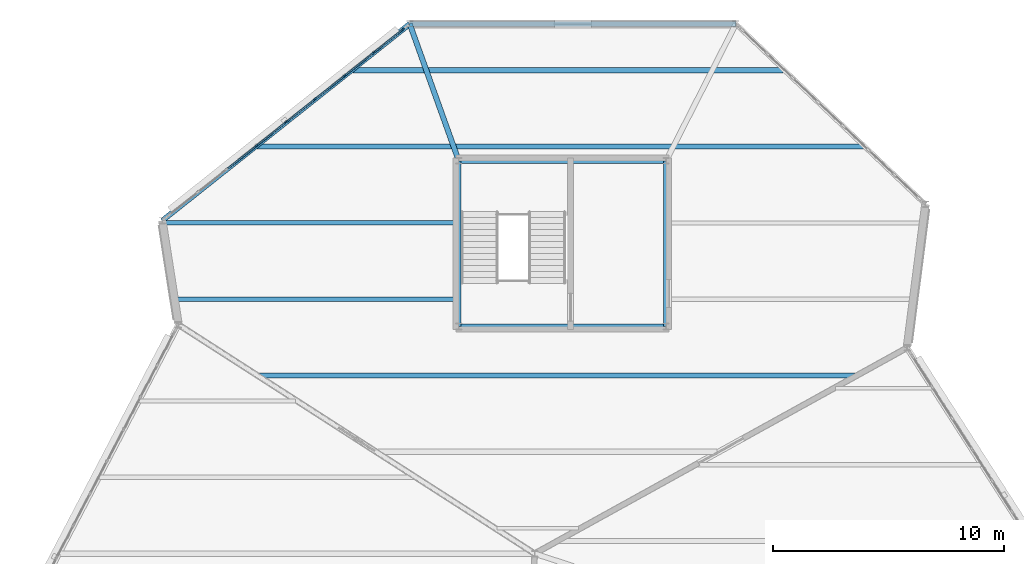
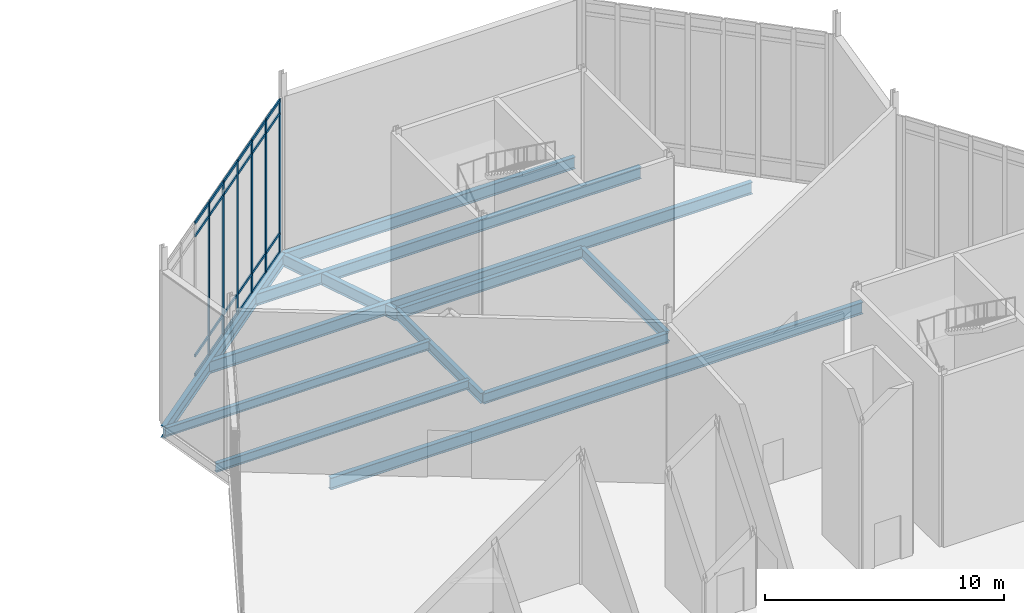
# One storey, part 37 of 66: 30 members, 12 beams, 1 element without a shape of its own.
"""IFC4 building model written with IfcOpenShell, lengths in metres."""

from ifc_helpers import new_model, si_unit, direction, frame, origin, origin_2d, place, context, subcontext, project, spatial, rectangle, i_section, extrude, material, material_profile, profile_set, type_object, element, aggregate, save


model = new_model("IFC4")

# Units and contexts
model_context = context("Model", 3, precision=1e-05, world=origin(), true_north=direction((0.0, 1.0)))
body_context = subcontext(model_context, "Body", "Model", "MODEL_VIEW")
ifc_project = project(units=[si_unit("LENGTHUNIT", "METRE"), si_unit("AREAUNIT", "SQUARE_METRE"), si_unit("VOLUMEUNIT", "CUBIC_METRE"), si_unit("PLANEANGLEUNIT", "RADIAN"), si_unit("MASSUNIT", "GRAM", prefix="KILO")], contexts=[model_context])

# Site, building, storey
site_placement = place(None, origin())
site = spatial("IfcSite", under=ifc_project, at=site_placement, CompositionType="ELEMENT")
building_placement = place(site_placement, origin())
building = spatial("IfcBuilding", under=site, at=building_placement, Name="Tameran Prism Museum", CompositionType="ELEMENT")
storey_placement = place(building_placement, frame((0.0, 0.0, 19.800048828125)))
storey = spatial("IfcBuildingStorey", under=building, at=storey_placement, Name="L04", CompositionType="ELEMENT", Elevation=19.800048828125)

# Beams
ifc_material_1 = material(Name="Steel Grade 300PLUS (300 MPa)", Category="steel")
ifc_material_profile_1 = material_profile(ifc_material_1, i_section(OverallWidth=0.18994140625, OverallDepth=0.4541015625, WebThickness=0.008544921875, FlangeThickness=0.0126953125, FilletRadius=0.011474609375, at=origin_2d()))
ifc_profile_set_1 = profile_set([ifc_material_profile_1])
beam_type_1 = type_object("IfcBeamType", Name="BM-J460B", PredefinedType="JOIST", material=ifc_profile_set_1)
beam_1_placement = place(storey_placement, frame((103.26904296875, 100.10009765625, -0.467041015625), z_axis=(1.0, 0.0, 0.0), x_axis=(0.0, 1.0, 0.0)))
element("IfcBeam", 1, at=beam_1_placement, inside=storey, type_object=beam_type_1, Name="Floor Beam BM-1223", PredefinedType="JOIST", context=body_context, shape_type="SweptSolid", body=[
    extrude(i_section(OverallWidth=0.18994140625, OverallDepth=0.4541015625, WebThickness=0.008544921875, FlangeThickness=0.0126953125, FilletRadius=0.011474609375, at=origin_2d()), origin(), (0.0, 0.0, 1.0), 12.2509765625),
])
beam_2_placement = place(storey_placement, frame((102.756103515625, 103.39990234375, -0.467041015625), z_axis=(1.0, 0.0, 0.0), x_axis=(0.0, 1.0, 0.0)))
element("IfcBeam", 2, at=beam_2_placement, inside=storey, type_object=beam_type_1, Name="Floor Beam BM-1225", PredefinedType="JOIST", context=body_context, shape_type="SweptSolid", body=[
    extrude(i_section(OverallWidth=0.18994140625, OverallDepth=0.4541015625, WebThickness=0.008544921875, FlangeThickness=0.0126953125, FilletRadius=0.011474609375, at=origin_2d()), origin(), (0.0, 0.0, 1.0), 12.763916015625),
])
ifc_material_2 = material(Name="Steel Grade 300PLUS (300 MPa)", Category="steel")
ifc_material_profile_2 = material_profile(ifc_material_2, i_section(OverallWidth=0.208984375, OverallDepth=0.528076171875, WebThickness=0.009521484375, FlangeThickness=0.01318359375, FilletRadius=0.013916015625, at=origin_2d()))
ifc_profile_set_2 = profile_set([ifc_material_profile_2])
beam_type_2 = type_object("IfcBeamType", Name="BM-SP530B", PredefinedType="SPANDREL", material=ifc_profile_set_2)
beam_3_placement = place(storey_placement, frame((115.52001953125, 98.919921875, -0.504150390625), z_axis=(1.0, 0.0, 0.0), x_axis=(0.0, 1.0, 0.0)))
element("IfcBeam", 3, at=beam_3_placement, inside=storey, type_object=beam_type_2, Name="Core Ring Beam CTB-1185", PredefinedType="SPANDREL", context=body_context, shape_type="SweptSolid", body=[
    extrude(i_section(OverallWidth=0.208984375, OverallDepth=0.528076171875, WebThickness=0.009521484375, FlangeThickness=0.01318359375, FilletRadius=0.013916015625, at=origin_2d()), origin(), (0.0, 0.0, 1.0), 8.9599609375),
])
beam_4_placement = place(storey_placement, frame((124.47998046875, 98.919921875, -0.504150390625), z_axis=(0.0, 1.0, 0.0), x_axis=(-1.0, 0.0, 0.0)))
element("IfcBeam", 4, at=beam_4_placement, inside=storey, type_object=beam_type_2, Name="Core Ring Beam CTB-1186", PredefinedType="SPANDREL", context=body_context, shape_type="SweptSolid", body=[
    extrude(i_section(OverallWidth=0.208984375, OverallDepth=0.528076171875, WebThickness=0.009521484375, FlangeThickness=0.01318359375, FilletRadius=0.013916015625, at=origin_2d()), origin(), (0.0, 0.0, 1.0), 7.16015625),
])
beam_5_placement = place(storey_placement, frame((124.47998046875, 106.080078125, -0.504150390625), z_axis=(-1.0, 0.0, 0.0), x_axis=(0.0, -1.0, 0.0)))
element("IfcBeam", 5, at=beam_5_placement, inside=storey, type_object=beam_type_2, Name="Core Ring Beam CTB-1187", PredefinedType="SPANDREL", context=body_context, shape_type="SweptSolid", body=[
    extrude(i_section(OverallWidth=0.208984375, OverallDepth=0.528076171875, WebThickness=0.009521484375, FlangeThickness=0.01318359375, FilletRadius=0.013916015625, at=origin_2d()), origin(), (0.0, 0.0, 1.0), 8.9599609375),
])
beam_6_placement = place(storey_placement, frame((115.52001953125, 106.080078125, -0.504150390625), z_axis=(0.0, -1.0, 0.0), x_axis=(1.0, 0.0, 0.0)))
element("IfcBeam", 6, at=beam_6_placement, inside=storey, type_object=beam_type_2, Name="Core Ring Beam CTB-1188", PredefinedType="SPANDREL", context=body_context, shape_type="SweptSolid", body=[
    extrude(i_section(OverallWidth=0.208984375, OverallDepth=0.528076171875, WebThickness=0.009521484375, FlangeThickness=0.01318359375, FilletRadius=0.013916015625, at=origin_2d()), origin(), (0.0, 0.0, 1.0), 7.16015625),
])
ifc_material_3 = material(Name="Steel Grade 300PLUS (300 MPa)", Category="steel")
ifc_material_profile_3 = material_profile(ifc_material_3, i_section(OverallWidth=0.22802734375, OverallDepth=0.60205078125, WebThickness=0.010498046875, FlangeThickness=0.014892578125, FilletRadius=0.013916015625, at=origin_2d()))
ifc_profile_set_3 = profile_set([ifc_material_profile_3])
beam_type_3 = type_object("IfcBeamType", Name="BM-SP610", PredefinedType="SPANDREL", material=ifc_profile_set_3)
beam_7_placement = place(storey_placement, frame((127.5, 112.0, -0.541015625), z_axis=(-1.0, 0.0, 0.0), x_axis=(0.0, -1.0, 0.0)))
element("IfcBeam", 7, at=beam_7_placement, inside=storey, type_object=beam_type_3, Name="Perimeter Spandrel SP-1152", PredefinedType="SPANDREL", context=body_context, shape_type="SweptSolid", body=[
    extrude(i_section(OverallWidth=0.22802734375, OverallDepth=0.60205078125, WebThickness=0.010498046875, FlangeThickness=0.014892578125, FilletRadius=0.013916015625, at=origin_2d()), origin(), (0.0, 0.0, 1.0), 14.10009765625),
])
beam_8_placement = place(storey_placement, frame((113.39990234375, 112.0, -0.541015625), z_axis=(-0.783004636427, -0.62201586743, 0.0), x_axis=(0.62201586743, -0.783004636427, 0.0)))
element("IfcBeam", 8, at=beam_8_placement, inside=storey, type_object=beam_type_3, Name="Perimeter Spandrel SP-1153", PredefinedType="SPANDREL", context=body_context, shape_type="SweptSolid", body=[
    extrude(i_section(OverallWidth=0.22802734375, OverallDepth=0.60205078125, WebThickness=0.010498046875, FlangeThickness=0.014892578125, FilletRadius=0.013916015625, at=origin_2d()), origin(), (0.0, 0.0, 1.0), 13.665283203125),
])
ifc_material_4 = material(Name="Steel Grade 300PLUS (300 MPa)", Category="steel")
ifc_material_profile_4 = material_profile(ifc_material_4, i_section(OverallWidth=0.22900390625, OverallDepth=0.612060546875, WebThickness=0.011962890625, FlangeThickness=0.01953125, FilletRadius=0.013916015625, at=origin_2d()))
ifc_profile_set_4 = profile_set([ifc_material_profile_4])
beam_type_4 = type_object("IfcBeamType", Name="BM-UB610A", PredefinedType="BEAM", material=ifc_profile_set_4)
beam_9_placement = place(storey_placement, frame((115.52001953125, 106.080078125, -0.56005859375), z_axis=(-0.337162675886, 0.941446403142, 0.0), x_axis=(-0.941446403142, -0.337162675886, 0.0)))
element("IfcBeam", 9, at=beam_9_placement, inside=storey, type_object=beam_type_4, Name="Frame Tie Girder FG-1408", PredefinedType="BEAM", context=body_context, shape_type="SweptSolid", body=[
    extrude(i_section(OverallWidth=0.22900390625, OverallDepth=0.612060546875, WebThickness=0.011962890625, FlangeThickness=0.01953125, FilletRadius=0.013916015625, at=origin_2d()), origin(), (0.0, 0.0, 1.0), 6.2880859375),
])
ifc_material_5 = material(Name="Steel Grade 300PLUS (300 MPa)", Category="steel")
ifc_material_profile_5 = material_profile(ifc_material_5, i_section(OverallWidth=0.22802734375, OverallDepth=0.60693359375, WebThickness=0.01123046875, FlangeThickness=0.017333984375, FilletRadius=0.013916015625, at=origin_2d()))
ifc_profile_set_5 = profile_set([ifc_material_profile_5])
beam_type_5 = type_object("IfcBeamType", Name="BM-UB610B", PredefinedType="BEAM", material=ifc_profile_set_5)
beam_10_placement = place(storey_placement, frame((106.89599609375, 96.800048828125, -0.54345703125), z_axis=(1.0, 0.0, 0.0), x_axis=(0.0, 1.0, 0.0)))
element("IfcBeam", 10, at=beam_10_placement, inside=storey, type_object=beam_type_5, Name="Floor Beam BM-1222", PredefinedType="BEAM", context=body_context, shape_type="SweptSolid", body=[
    extrude(i_section(OverallWidth=0.22802734375, OverallDepth=0.60693359375, WebThickness=0.01123046875, FlangeThickness=0.017333984375, FilletRadius=0.013916015625, at=origin_2d()), origin(), (0.0, 0.0, 1.0), 25.7509765625),
])
beam_11_placement = place(storey_placement, frame((106.79296875, 106.699951171875, -0.54345703125), z_axis=(1.0, 0.0, 0.0), x_axis=(0.0, 1.0, 0.0)))
element("IfcBeam", 11, at=beam_11_placement, inside=storey, type_object=beam_type_5, Name="Floor Beam BM-1227", PredefinedType="BEAM", context=body_context, shape_type="SweptSolid", body=[
    extrude(i_section(OverallWidth=0.22802734375, OverallDepth=0.60693359375, WebThickness=0.01123046875, FlangeThickness=0.017333984375, FilletRadius=0.013916015625, at=origin_2d()), origin(), (0.0, 0.0, 1.0), 26.220947265625),
])
beam_12_placement = place(storey_placement, frame((110.947021484375, 110.0, -0.54345703125), z_axis=(1.0, 0.0, 0.0), x_axis=(0.0, 1.0, 0.0)))
element("IfcBeam", 12, at=beam_12_placement, inside=storey, type_object=beam_type_5, Name="Floor Beam BM-1228", PredefinedType="BEAM", context=body_context, shape_type="SweptSolid", body=[
    extrude(i_section(OverallWidth=0.22802734375, OverallDepth=0.60693359375, WebThickness=0.01123046875, FlangeThickness=0.017333984375, FilletRadius=0.013916015625, at=origin_2d()), origin(), (0.0, 0.0, 1.0), 18.597900390625),
])

# Curtain wall, members
ifc_material_6 = material(Name="Anodised Aluminium 6063-T6 and Cyclone Solar Glass", Category="aluminium")
curtain_wall_type = type_object("IfcCurtainWallType", Name="CW-FAC-1296x782", PredefinedType="USERDEFINED", material=ifc_material_6)
curtain_wall_placement = place(storey_placement, origin())
curtain_wall = element("IfcCurtainWall", 13, at=curtain_wall_placement, inside=storey, type_object=curtain_wall_type, Name="Unitised Curtain Wall CW-155", ObjectType="UNITISED CURTAIN WALL", PredefinedType="USERDEFINED")
ifc_material_7 = material(Name="Anodised Aluminium Alloy 6063-T6", Category="aluminium")
ifc_material_profile_6 = material_profile(ifc_material_7, rectangle(XDim=0.06494140625, YDim=0.159912109375, at=origin_2d()))
ifc_profile_set_6 = profile_set([ifc_material_profile_6])
member_type_1 = type_object("IfcMemberType", Name="CW-MUL-A", PredefinedType="MULLION", material=ifc_profile_set_6)
member_1_placement = place(storey_placement, frame((106.781005859375, 106.741943359375, 0.0), z_axis=(0.0, 0.0, 1.0), x_axis=(-0.621982306183, 0.783031296178, 0.0)))
member_1 = element("IfcMember", 14, at=member_1_placement, type_object=member_type_1, Name="CW-155 mullion 4", PredefinedType="MULLION", context=body_context, shape_type="SweptSolid", body=[
    extrude(rectangle(XDim=0.06494140625, YDim=0.159912109375, at=origin_2d()), origin(), (0.0, 0.0, 1.0), 7.820068359375),
])
member_2_placement = place(storey_placement, frame((108.050048828125, 107.75, 0.0), z_axis=(0.0, 0.0, 1.0), x_axis=(-0.621982306183, 0.783031296178, 0.0)))
member_2 = element("IfcMember", 15, at=member_2_placement, type_object=member_type_1, Name="CW-155 mullion 5", PredefinedType="MULLION", context=body_context, shape_type="SweptSolid", body=[
    extrude(rectangle(XDim=0.06494140625, YDim=0.159912109375, at=origin_2d()), origin(), (0.0, 0.0, 1.0), 7.820068359375),
])
member_3_placement = place(storey_placement, frame((109.319091796875, 108.758056640625, 0.0), z_axis=(0.0, 0.0, 1.0), x_axis=(-0.621982306183, 0.783031296178, 0.0)))
member_3 = element("IfcMember", 16, at=member_3_placement, type_object=member_type_1, Name="CW-155 mullion 6", PredefinedType="MULLION", context=body_context, shape_type="SweptSolid", body=[
    extrude(rectangle(XDim=0.06494140625, YDim=0.159912109375, at=origin_2d()), origin(), (0.0, 0.0, 1.0), 7.820068359375),
])
member_4_placement = place(storey_placement, frame((110.587890625, 109.76611328125, 0.0), z_axis=(0.0, 0.0, 1.0), x_axis=(-0.621982306183, 0.783031296178, 0.0)))
member_4 = element("IfcMember", 17, at=member_4_placement, type_object=member_type_1, Name="CW-155 mullion 7", PredefinedType="MULLION", context=body_context, shape_type="SweptSolid", body=[
    extrude(rectangle(XDim=0.06494140625, YDim=0.159912109375, at=origin_2d()), origin(), (0.0, 0.0, 1.0), 7.820068359375),
])
member_5_placement = place(storey_placement, frame((111.85693359375, 110.77392578125, 0.0), z_axis=(0.0, 0.0, 1.0), x_axis=(-0.621982306183, 0.783031296178, 0.0)))
member_5 = element("IfcMember", 18, at=member_5_placement, type_object=member_type_1, Name="CW-155 mullion 8", PredefinedType="MULLION", context=body_context, shape_type="SweptSolid", body=[
    extrude(rectangle(XDim=0.06494140625, YDim=0.159912109375, at=origin_2d()), origin(), (0.0, 0.0, 1.0), 7.820068359375),
])
member_6_placement = place(storey_placement, frame((113.1005859375, 111.76171875, 0.0), z_axis=(0.0, 0.0, 1.0), x_axis=(-0.621982306183, 0.783031296178, 0.0)))
member_6 = element("IfcMember", 19, at=member_6_placement, type_object=member_type_1, Name="CW-155 mullion 9", PredefinedType="MULLION", context=body_context, shape_type="SweptSolid", body=[
    extrude(rectangle(XDim=0.06494140625, YDim=0.159912109375, at=origin_2d()), origin(), (0.0, 0.0, 1.0), 7.820068359375),
])
ifc_material_8 = material(Name="Anodised Aluminium Alloy 6063-T6", Category="aluminium")
ifc_material_profile_7 = material_profile(ifc_material_8, rectangle(XDim=0.06494140625, YDim=0.139892578125, at=origin_2d()))
ifc_profile_set_7 = profile_set([ifc_material_profile_7])
member_type_2 = type_object("IfcMemberType", Name="CW-TRN-A", PredefinedType="USERDEFINED", material=ifc_profile_set_7)
member_7_placement = place(storey_placement, frame((105.537353515625, 105.754150390625, 0.032470703125), z_axis=(0.783083873008, 0.621916109966, 0.0), x_axis=(-0.621916109966, 0.783083873008, 0.0)))
member_7 = element("IfcMember", 20, at=member_7_placement, type_object=member_type_2, Name="CW-155 transom 3.1", ObjectType="TRANSOM", PredefinedType="USERDEFINED", context=body_context, shape_type="SweptSolid", body=[
    extrude(rectangle(XDim=0.06494140625, YDim=0.139892578125, at=origin_2d()), origin(), (0.0, 0.0, 1.0), 1.5556640625),
])
member_8_placement = place(storey_placement, frame((105.537353515625, 105.754150390625, 1.0), z_axis=(0.783083873008, 0.621916109966, 0.0), x_axis=(-0.621916109966, 0.783083873008, 0.0)))
member_8 = element("IfcMember", 21, at=member_8_placement, type_object=member_type_2, Name="CW-155 transom 3.2", ObjectType="TRANSOM", PredefinedType="USERDEFINED", context=body_context, shape_type="SweptSolid", body=[
    extrude(rectangle(XDim=0.06494140625, YDim=0.139892578125, at=origin_2d()), origin(), (0.0, 0.0, 1.0), 1.5556640625),
])
member_9_placement = place(storey_placement, frame((105.537353515625, 105.754150390625, 7.139892578125), z_axis=(0.783083873008, 0.621916109966, 0.0), x_axis=(-0.621916109966, 0.783083873008, 0.0)))
member_9 = element("IfcMember", 22, at=member_9_placement, type_object=member_type_2, Name="CW-155 transom 3.3", ObjectType="TRANSOM", PredefinedType="USERDEFINED", context=body_context, shape_type="SweptSolid", body=[
    extrude(rectangle(XDim=0.06494140625, YDim=0.139892578125, at=origin_2d()), origin(), (0.0, 0.0, 1.0), 1.5556640625),
])
member_10_placement = place(storey_placement, frame((105.537353515625, 105.754150390625, 7.787353515625), z_axis=(0.783083873008, 0.621916109966, 0.0), x_axis=(-0.621916109966, 0.783083873008, 0.0)))
member_10 = element("IfcMember", 23, at=member_10_placement, type_object=member_type_2, Name="CW-155 transom 3.4", ObjectType="TRANSOM", PredefinedType="USERDEFINED", context=body_context, shape_type="SweptSolid", body=[
    extrude(rectangle(XDim=0.06494140625, YDim=0.139892578125, at=origin_2d()), origin(), (0.0, 0.0, 1.0), 1.5556640625),
])
member_11_placement = place(storey_placement, frame((106.806396484375, 106.76220703125, 0.032470703125), z_axis=(0.783083873008, 0.621916109966, 0.0), x_axis=(-0.621916109966, 0.783083873008, 0.0)))
member_11 = element("IfcMember", 24, at=member_11_placement, type_object=member_type_2, Name="CW-155 transom 4.1", ObjectType="TRANSOM", PredefinedType="USERDEFINED", context=body_context, shape_type="SweptSolid", body=[
    extrude(rectangle(XDim=0.06494140625, YDim=0.139892578125, at=origin_2d()), origin(), (0.0, 0.0, 1.0), 1.5556640625),
])
member_12_placement = place(storey_placement, frame((106.806396484375, 106.76220703125, 1.0), z_axis=(0.783083873008, 0.621916109966, 0.0), x_axis=(-0.621916109966, 0.783083873008, 0.0)))
member_12 = element("IfcMember", 25, at=member_12_placement, type_object=member_type_2, Name="CW-155 transom 4.2", ObjectType="TRANSOM", PredefinedType="USERDEFINED", context=body_context, shape_type="SweptSolid", body=[
    extrude(rectangle(XDim=0.06494140625, YDim=0.139892578125, at=origin_2d()), origin(), (0.0, 0.0, 1.0), 1.5556640625),
])
member_13_placement = place(storey_placement, frame((106.806396484375, 106.76220703125, 7.139892578125), z_axis=(0.783083873008, 0.621916109966, 0.0), x_axis=(-0.621916109966, 0.783083873008, 0.0)))
member_13 = element("IfcMember", 26, at=member_13_placement, type_object=member_type_2, Name="CW-155 transom 4.3", ObjectType="TRANSOM", PredefinedType="USERDEFINED", context=body_context, shape_type="SweptSolid", body=[
    extrude(rectangle(XDim=0.06494140625, YDim=0.139892578125, at=origin_2d()), origin(), (0.0, 0.0, 1.0), 1.5556640625),
])
member_14_placement = place(storey_placement, frame((106.806396484375, 106.76220703125, 7.787353515625), z_axis=(0.783083873008, 0.621916109966, 0.0), x_axis=(-0.621916109966, 0.783083873008, 0.0)))
member_14 = element("IfcMember", 27, at=member_14_placement, type_object=member_type_2, Name="CW-155 transom 4.4", ObjectType="TRANSOM", PredefinedType="USERDEFINED", context=body_context, shape_type="SweptSolid", body=[
    extrude(rectangle(XDim=0.06494140625, YDim=0.139892578125, at=origin_2d()), origin(), (0.0, 0.0, 1.0), 1.5556640625),
])
member_15_placement = place(storey_placement, frame((108.075439453125, 107.770263671875, 0.032470703125), z_axis=(0.783023164241, 0.621992543574, 0.0), x_axis=(-0.621992543574, 0.783023164241, 0.0)))
member_15 = element("IfcMember", 28, at=member_15_placement, type_object=member_type_2, Name="CW-155 transom 5.1", ObjectType="TRANSOM", PredefinedType="USERDEFINED", context=body_context, shape_type="SweptSolid", body=[
    extrude(rectangle(XDim=0.06494140625, YDim=0.139892578125, at=origin_2d()), origin(), (0.0, 0.0, 1.0), 1.555419921875),
])
member_16_placement = place(storey_placement, frame((108.075439453125, 107.770263671875, 1.0), z_axis=(0.783023164241, 0.621992543574, 0.0), x_axis=(-0.621992543574, 0.783023164241, 0.0)))
member_16 = element("IfcMember", 29, at=member_16_placement, type_object=member_type_2, Name="CW-155 transom 5.2", ObjectType="TRANSOM", PredefinedType="USERDEFINED", context=body_context, shape_type="SweptSolid", body=[
    extrude(rectangle(XDim=0.06494140625, YDim=0.139892578125, at=origin_2d()), origin(), (0.0, 0.0, 1.0), 1.555419921875),
])
member_17_placement = place(storey_placement, frame((108.075439453125, 107.770263671875, 7.139892578125), z_axis=(0.783023164241, 0.621992543574, 0.0), x_axis=(-0.621992543574, 0.783023164241, 0.0)))
member_17 = element("IfcMember", 30, at=member_17_placement, type_object=member_type_2, Name="CW-155 transom 5.3", ObjectType="TRANSOM", PredefinedType="USERDEFINED", context=body_context, shape_type="SweptSolid", body=[
    extrude(rectangle(XDim=0.06494140625, YDim=0.139892578125, at=origin_2d()), origin(), (0.0, 0.0, 1.0), 1.555419921875),
])
member_18_placement = place(storey_placement, frame((108.075439453125, 107.770263671875, 7.787353515625), z_axis=(0.783023164241, 0.621992543574, 0.0), x_axis=(-0.621992543574, 0.783023164241, 0.0)))
member_18 = element("IfcMember", 31, at=member_18_placement, type_object=member_type_2, Name="CW-155 transom 5.4", ObjectType="TRANSOM", PredefinedType="USERDEFINED", context=body_context, shape_type="SweptSolid", body=[
    extrude(rectangle(XDim=0.06494140625, YDim=0.139892578125, at=origin_2d()), origin(), (0.0, 0.0, 1.0), 1.555419921875),
])
member_19_placement = place(storey_placement, frame((109.344482421875, 108.7783203125, 0.032470703125), z_axis=(0.783023164241, 0.621992543574, 0.0), x_axis=(-0.621992543574, 0.783023164241, 0.0)))
member_19 = element("IfcMember", 32, at=member_19_placement, type_object=member_type_2, Name="CW-155 transom 6.1", ObjectType="TRANSOM", PredefinedType="USERDEFINED", context=body_context, shape_type="SweptSolid", body=[
    extrude(rectangle(XDim=0.06494140625, YDim=0.139892578125, at=origin_2d()), origin(), (0.0, 0.0, 1.0), 1.555419921875),
])
member_20_placement = place(storey_placement, frame((109.344482421875, 108.7783203125, 1.0), z_axis=(0.783023164241, 0.621992543574, 0.0), x_axis=(-0.621992543574, 0.783023164241, 0.0)))
member_20 = element("IfcMember", 33, at=member_20_placement, type_object=member_type_2, Name="CW-155 transom 6.2", ObjectType="TRANSOM", PredefinedType="USERDEFINED", context=body_context, shape_type="SweptSolid", body=[
    extrude(rectangle(XDim=0.06494140625, YDim=0.139892578125, at=origin_2d()), origin(), (0.0, 0.0, 1.0), 1.555419921875),
])
member_21_placement = place(storey_placement, frame((109.344482421875, 108.7783203125, 7.139892578125), z_axis=(0.783023164241, 0.621992543574, 0.0), x_axis=(-0.621992543574, 0.783023164241, 0.0)))
member_21 = element("IfcMember", 34, at=member_21_placement, type_object=member_type_2, Name="CW-155 transom 6.3", ObjectType="TRANSOM", PredefinedType="USERDEFINED", context=body_context, shape_type="SweptSolid", body=[
    extrude(rectangle(XDim=0.06494140625, YDim=0.139892578125, at=origin_2d()), origin(), (0.0, 0.0, 1.0), 1.555419921875),
])
member_22_placement = place(storey_placement, frame((109.344482421875, 108.7783203125, 7.787353515625), z_axis=(0.783023164241, 0.621992543574, 0.0), x_axis=(-0.621992543574, 0.783023164241, 0.0)))
member_22 = element("IfcMember", 35, at=member_22_placement, type_object=member_type_2, Name="CW-155 transom 6.4", ObjectType="TRANSOM", PredefinedType="USERDEFINED", context=body_context, shape_type="SweptSolid", body=[
    extrude(rectangle(XDim=0.06494140625, YDim=0.139892578125, at=origin_2d()), origin(), (0.0, 0.0, 1.0), 1.555419921875),
])
member_23_placement = place(storey_placement, frame((110.613525390625, 109.7861328125, 0.032470703125), z_axis=(0.782946725754, 0.622088759448, 0.0), x_axis=(-0.622088759448, 0.782946725754, 0.0)))
member_23 = element("IfcMember", 36, at=member_23_placement, type_object=member_type_2, Name="CW-155 transom 7.1", ObjectType="TRANSOM", PredefinedType="USERDEFINED", context=body_context, shape_type="SweptSolid", body=[
    extrude(rectangle(XDim=0.06494140625, YDim=0.139892578125, at=origin_2d()), origin(), (0.0, 0.0, 1.0), 1.5556640625),
])
member_24_placement = place(storey_placement, frame((110.613525390625, 109.7861328125, 1.0), z_axis=(0.782946725754, 0.622088759448, 0.0), x_axis=(-0.622088759448, 0.782946725754, 0.0)))
member_24 = element("IfcMember", 37, at=member_24_placement, type_object=member_type_2, Name="CW-155 transom 7.2", ObjectType="TRANSOM", PredefinedType="USERDEFINED", context=body_context, shape_type="SweptSolid", body=[
    extrude(rectangle(XDim=0.06494140625, YDim=0.139892578125, at=origin_2d()), origin(), (0.0, 0.0, 1.0), 1.5556640625),
])
member_25_placement = place(storey_placement, frame((110.613525390625, 109.7861328125, 7.139892578125), z_axis=(0.782946725754, 0.622088759448, 0.0), x_axis=(-0.622088759448, 0.782946725754, 0.0)))
member_25 = element("IfcMember", 38, at=member_25_placement, type_object=member_type_2, Name="CW-155 transom 7.3", ObjectType="TRANSOM", PredefinedType="USERDEFINED", context=body_context, shape_type="SweptSolid", body=[
    extrude(rectangle(XDim=0.06494140625, YDim=0.139892578125, at=origin_2d()), origin(), (0.0, 0.0, 1.0), 1.5556640625),
])
member_26_placement = place(storey_placement, frame((110.613525390625, 109.7861328125, 7.787353515625), z_axis=(0.782946725754, 0.622088759448, 0.0), x_axis=(-0.622088759448, 0.782946725754, 0.0)))
member_26 = element("IfcMember", 39, at=member_26_placement, type_object=member_type_2, Name="CW-155 transom 7.4", ObjectType="TRANSOM", PredefinedType="USERDEFINED", context=body_context, shape_type="SweptSolid", body=[
    extrude(rectangle(XDim=0.06494140625, YDim=0.139892578125, at=origin_2d()), origin(), (0.0, 0.0, 1.0), 1.5556640625),
])
member_27_placement = place(storey_placement, frame((111.882568359375, 110.794189453125, 0.032470703125), z_axis=(0.783053443189, 0.621954423659, 0.0), x_axis=(-0.621954423659, 0.783053443189, 0.0)))
member_27 = element("IfcMember", 40, at=member_27_placement, type_object=member_type_2, Name="CW-155 transom 8.1", ObjectType="TRANSOM", PredefinedType="USERDEFINED", context=body_context, shape_type="SweptSolid", body=[
    extrude(rectangle(XDim=0.06494140625, YDim=0.139892578125, at=origin_2d()), origin(), (0.0, 0.0, 1.0), 1.52294921875),
])
member_28_placement = place(storey_placement, frame((111.882568359375, 110.794189453125, 1.0), z_axis=(0.783053443189, 0.621954423659, 0.0), x_axis=(-0.621954423659, 0.783053443189, 0.0)))
member_28 = element("IfcMember", 41, at=member_28_placement, type_object=member_type_2, Name="CW-155 transom 8.2", ObjectType="TRANSOM", PredefinedType="USERDEFINED", context=body_context, shape_type="SweptSolid", body=[
    extrude(rectangle(XDim=0.06494140625, YDim=0.139892578125, at=origin_2d()), origin(), (0.0, 0.0, 1.0), 1.52294921875),
])
member_29_placement = place(storey_placement, frame((111.882568359375, 110.794189453125, 7.139892578125), z_axis=(0.783053443189, 0.621954423659, 0.0), x_axis=(-0.621954423659, 0.783053443189, 0.0)))
member_29 = element("IfcMember", 42, at=member_29_placement, type_object=member_type_2, Name="CW-155 transom 8.3", ObjectType="TRANSOM", PredefinedType="USERDEFINED", context=body_context, shape_type="SweptSolid", body=[
    extrude(rectangle(XDim=0.06494140625, YDim=0.139892578125, at=origin_2d()), origin(), (0.0, 0.0, 1.0), 1.52294921875),
])
member_30_placement = place(storey_placement, frame((111.882568359375, 110.794189453125, 7.787353515625), z_axis=(0.783053443189, 0.621954423659, 0.0), x_axis=(-0.621954423659, 0.783053443189, 0.0)))
member_30 = element("IfcMember", 43, at=member_30_placement, type_object=member_type_2, Name="CW-155 transom 8.4", ObjectType="TRANSOM", PredefinedType="USERDEFINED", context=body_context, shape_type="SweptSolid", body=[
    extrude(rectangle(XDim=0.06494140625, YDim=0.139892578125, at=origin_2d()), origin(), (0.0, 0.0, 1.0), 1.52294921875),
])
aggregate(curtain_wall, [member_1, member_2, member_3, member_4, member_5, member_6, member_7, member_8, member_9, member_10, member_11, member_12, member_13, member_14, member_15, member_16, member_17, member_18, member_19, member_20, member_21, member_22, member_23, member_24, member_25, member_26, member_27, member_28, member_29, member_30])

save(model, "model.ifc")
